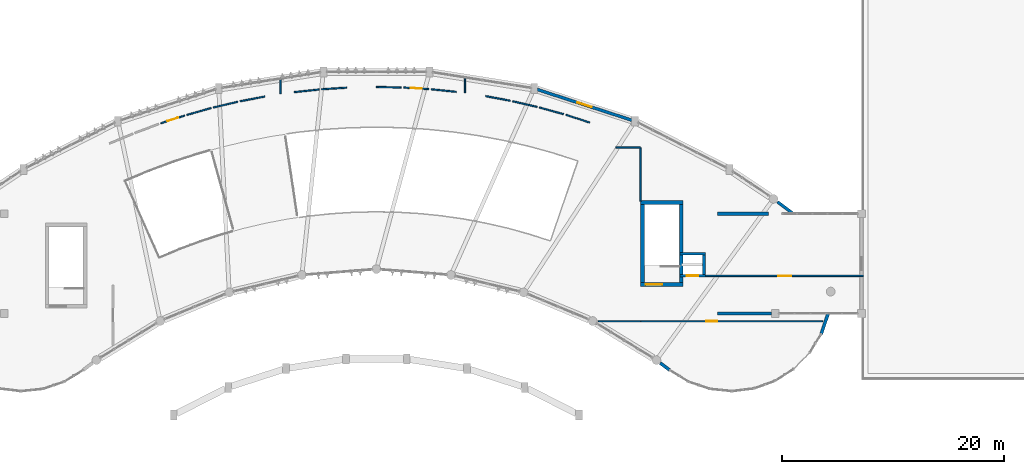
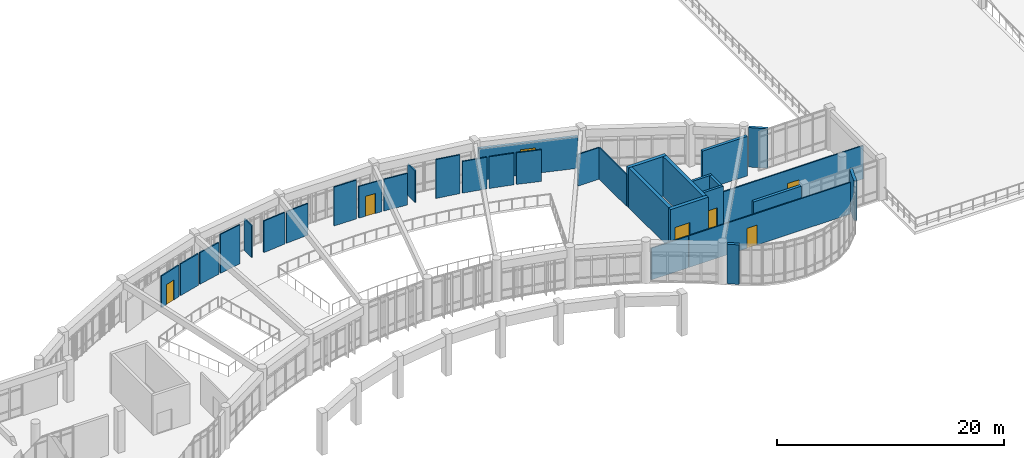
# One storey, part 44 of 54: 33 walls, 6 doors, 1 window, 7 openings.
"""IFC4 building model written with IfcOpenShell, lengths in metres."""

from ifc_helpers import new_model, si_unit, direction, frame, frame_2d, origin, place, context, subcontext, project, spatial, rectangle, extrude, material, layer, layer_set, type_object, element, fill, save


model = new_model("IFC4")

# Units and contexts
model_context = context("Model", 3, precision=1e-05, world=origin(), true_north=direction((0.0, 1.0)))
body_context = subcontext(model_context, "Body", "Model", "MODEL_VIEW")
ifc_project = project(units=[si_unit("LENGTHUNIT", "METRE"), si_unit("AREAUNIT", "SQUARE_METRE"), si_unit("VOLUMEUNIT", "CUBIC_METRE"), si_unit("PLANEANGLEUNIT", "RADIAN"), si_unit("MASSUNIT", "GRAM", prefix="KILO")], contexts=[model_context])

# Site, building, storey
site_placement = place(None, origin())
site = spatial("IfcSite", under=ifc_project, at=site_placement, CompositionType="ELEMENT")
building_placement = place(site_placement, origin())
building = spatial("IfcBuilding", under=site, at=building_placement, Name="Miralva Faculty of Natural Sciences", CompositionType="ELEMENT")
storey_placement = place(building_placement, frame((0.0, 0.0, 19.5)))
storey = spatial("IfcBuildingStorey", under=building, at=storey_placement, Name="L04", CompositionType="ELEMENT", Elevation=19.5)

# Wall, opening, door
ifc_material_1 = material(Name="Concrete C50/60", Category="concrete")
ifc_layer_1 = layer(ifc_material_1, 0.35009765625, Name="WL-CW02")
ifc_layer_set_1 = layer_set([ifc_layer_1], Name="Concrete C50/60")
wall_type_1 = type_object("IfcWallType", Name="WL-CW02", PredefinedType="SHEAR", material=ifc_layer_set_1)
wall_1_placement = place(storey_placement, frame((113.85009765625, 20.625, 0.0), z_axis=(0.0, 0.0, 1.0), x_axis=(1.0, 0.0, 0.0)))
wall_1 = element("IfcWall", 1, at=wall_1_placement, inside=storey, type_object=wall_type_1, Name="Core C3 shear wall south L04", PredefinedType="SHEAR", context=body_context, shape_type="SweptSolid", body=[
    extrude(rectangle(XDim=3.849853515625, YDim=0.35009765625, at=frame_2d((1.9248046875, 0.0))), origin(), (0.0, 0.0, 1.0), 4.280029296875),
])
opening_1_placement = place(wall_1_placement, frame((0.449951171875, 0.0, 0.0)))
opening_1 = element("IfcOpeningElement", 2, at=opening_1_placement, cuts=wall_1, Name="Opening D-11", PredefinedType="OPENING", context=body_context, shape_type="SweptSolid", body=[
    extrude(rectangle(XDim=1.5, YDim=2.199951171875, at=frame_2d((0.75, 1.10009765625))), frame((0.0, 0.18505859375, 0.0), z_axis=(0.0, -1.0, 0.0), x_axis=(1.0, 0.0, 0.0)), (0.0, 0.0, 1.0), 0.3701171875),
])
ifc_material_2 = material(Name="Galvanised steel", Category="steel")
door_type_1 = type_object("IfcDoorType", Name="DR-DI11", OperationType="DOUBLE_DOOR_SINGLE_SWING", PredefinedType="DOOR", material=ifc_material_2)
door_1_placement = place(opening_1_placement, frame((1.5, 0.0, 0.0), z_axis=(0.0, 0.0, 1.0), x_axis=(-1.0, 0.0, 0.0)))
door_1 = element("IfcDoor", 3, at=door_1_placement, inside=storey, type_object=door_type_1, Name="Protected exit stair door Core C3 L04", OperationType="DOUBLE_DOOR_SINGLE_SWING", OverallHeight=2.199951171875, OverallWidth=1.5, PredefinedType="DOOR", context=body_context, shape_type="SweptSolid", body=[
    extrude(rectangle(XDim=1.5, YDim=2.199951171875, at=frame_2d((0.75, 1.10009765625))), frame((0.0, 0.02490234375, 0.0), z_axis=(0.0, -1.0, 0.0), x_axis=(1.0, 0.0, 0.0)), (0.0, 0.0, 1.0), 0.050048828125),
])
fill(opening_1, door_1)

# Walls
wall_2_placement = place(storey_placement, frame((113.85009765625, 28.02490234375, 0.0), z_axis=(0.0, 0.0, 1.0), x_axis=(1.0, 0.0, 0.0)))
element("IfcWall", 4, at=wall_2_placement, inside=storey, type_object=wall_type_1, Name="Core C3 shear wall north L04", PredefinedType="SHEAR", context=body_context, shape_type="SweptSolid", body=[
    extrude(rectangle(XDim=3.849853515625, YDim=0.35009765625, at=frame_2d((1.9248046875, 0.0))), origin(), (0.0, 0.0, 1.0), 4.280029296875),
])
for number, where, z_axis, x_axis, name in (
    (5, (114.02490234375, 20.800048828125, 0.0), (0.0, 0.0, 1.0), (0.0, 1.0, 0.0), "Core C3 shear wall west L04"),
    (6, (117.52490234375, 20.800048828125, 0.0), (0.0, 0.0, 1.0), (0.0, 1.0, 0.0), "Core C3 shear wall east L04"),
):
    element("IfcWall", number, at=place(storey_placement, frame(where, z_axis=z_axis, x_axis=x_axis)), inside=storey, type_object=wall_type_1, Name=name, PredefinedType="SHEAR", context=body_context, shape_type="SweptSolid", body=[
        extrude(rectangle(XDim=7.050048828125, YDim=0.35009765625, at=frame_2d((3.52490234375, 0.0))), origin(), (0.0, 0.0, 1.0), 4.280029296875),
    ])

# Wall, opening, door
ifc_material_3 = material(Name="Concrete C40/50", Category="concrete")
ifc_layer_2 = layer(ifc_material_3, 0.25, Name="WL-CW04")
ifc_layer_set_2 = layer_set([ifc_layer_2], Name="Concrete C40/50")
wall_type_2 = type_object("IfcWallType", Name="WL-CW04", PredefinedType="SHEAR", material=ifc_layer_set_2)
wall_3_placement = place(storey_placement, frame((117.405029296875, 21.405029296875, 0.0), z_axis=(0.0, 0.0, 1.0), x_axis=(1.0, 0.0, 0.0)))
wall_3 = element("IfcWall", 7, at=wall_3_placement, inside=storey, type_object=wall_type_2, Name="Lift L-05 hoistway front wall L04", PredefinedType="SHEAR", context=body_context, shape_type="SweptSolid", body=[
    extrude(rectangle(XDim=2.2900390625, YDim=0.25, at=frame_2d((1.14501953125, 0.0))), origin(), (0.0, 0.0, 1.0), 4.260009765625),
])
opening_2_placement = place(wall_3_placement, frame((0.6201171875, 0.0, 0.0)))
opening_2 = element("IfcOpeningElement", 8, at=opening_2_placement, cuts=wall_3, Name="Opening LD-03", PredefinedType="OPENING", context=body_context, shape_type="SweptSolid", body=[
    extrude(rectangle(XDim=1.050048828125, YDim=2.14990234375, at=frame_2d((0.52490234375, 1.074951171875))), frame((0.0, 0.135009765625, 0.0), z_axis=(0.0, -1.0, 0.0), x_axis=(1.0, 0.0, 0.0)), (0.0, 0.0, 1.0), 0.27001953125),
])
door_type_2 = type_object("IfcDoorType", Name="DR-LD03", OperationType="SLIDING_TO_RIGHT", PredefinedType="DOOR", material=ifc_material_2)
door_2_placement = place(opening_2_placement, frame((1.050048828125, 0.0, 0.0), z_axis=(0.0, 0.0, 1.0), x_axis=(-1.0, 0.0, 0.0)))
door_2 = element("IfcDoor", 9, at=door_2_placement, inside=storey, type_object=door_type_2, Name="Lift L-05 sliding landing door L04", OperationType="SLIDING_TO_RIGHT", OverallHeight=2.14990234375, OverallWidth=1.050048828125, PredefinedType="DOOR", context=body_context, shape_type="SweptSolid", body=[
    extrude(rectangle(XDim=1.050048828125, YDim=2.14990234375, at=frame_2d((0.52490234375, 1.074951171875))), frame((0.0, 0.02490234375, 0.0), z_axis=(0.0, -1.0, 0.0), x_axis=(1.0, 0.0, 0.0)), (0.0, 0.0, 1.0), 0.050048828125),
])
fill(opening_2, door_2)

# Walls
wall_4_placement = place(storey_placement, frame((117.405029296875, 23.39501953125, 0.0), z_axis=(0.0, 0.0, 1.0), x_axis=(1.0, 0.0, 0.0)))
element("IfcWall", 10, at=wall_4_placement, inside=storey, type_object=wall_type_2, Name="Lift L-05 hoistway rear wall L04", PredefinedType="SHEAR", context=body_context, shape_type="SweptSolid", body=[
    extrude(rectangle(XDim=2.2900390625, YDim=0.25, at=frame_2d((1.14501953125, 0.0))), origin(), (0.0, 0.0, 1.0), 4.260009765625),
])
wall_5_placement = place(storey_placement, frame((119.570068359375, 21.530029296875, 0.0), z_axis=(0.0, 0.0, 1.0), x_axis=(0.0, 1.0, 0.0)))
element("IfcWall", 11, at=wall_5_placement, inside=storey, type_object=wall_type_2, Name="Lift L-05 hoistway E wall L04", PredefinedType="SHEAR", context=body_context, shape_type="SweptSolid", body=[
    extrude(rectangle(XDim=1.739990234375, YDim=0.25, at=frame_2d((0.8701171875, 0.0))), origin(), (0.0, 0.0, 1.0), 4.260009765625),
])

# Wall, opening, door
ifc_material_4 = material(Name="Gypsum plasterboard")
ifc_layer_3 = layer(ifc_material_4, 0.125, Name="WL-PT05")
ifc_layer_set_3 = layer_set([ifc_layer_3], Name="Gypsum plasterboard")
wall_type_3 = type_object("IfcWallType", Name="WL-PT05", PredefinedType="PARTITIONING", material=ifc_layer_set_3)
wall_6_placement = place(storey_placement, frame((70.52783203125, 35.169189453125, 0.0), z_axis=(0.0, 0.0, 1.0), x_axis=(0.950910506912, 0.309466004345, 0.0)))
wall_6 = element("IfcWall", 12, at=wall_6_placement, inside=storey, type_object=wall_type_3, Name="Interior partition PT-05 L04-421", PredefinedType="PARTITIONING", context=body_context, shape_type="SweptSolid", body=[
    extrude(rectangle(XDim=2.2666015625, YDim=0.125, at=frame_2d((1.13330078125, 0.0))), origin(), (0.0, 0.0, 1.0), 3.405029296875),
])
opening_3_placement = place(wall_6_placement, frame((0.63330078125, 0.0, 0.0)))
opening_3 = element("IfcOpeningElement", 13, at=opening_3_placement, cuts=wall_6, Name="Opening D-25", PredefinedType="OPENING", context=body_context, shape_type="SweptSolid", body=[
    extrude(rectangle(XDim=1.0, YDim=2.14990234375, at=frame_2d((0.5, 1.074951171875))), frame((0.0, 0.072509765625, 0.0), z_axis=(0.0, -1.0, 0.0), x_axis=(1.0, 0.0, 0.0)), (0.0, 0.0, 1.0), 0.14501953125),
])
ifc_material_5 = material(Name="Anodised aluminium", Category="aluminium")
door_type_3 = type_object("IfcDoorType", Name="DR-DI25", OperationType="NOTDEFINED", PredefinedType="DOOR", material=ifc_material_5)
door_3_placement = place(opening_3_placement, origin())
door_3 = element("IfcDoor", 14, at=door_3_placement, inside=storey, type_object=door_type_3, Name="Interior door D-25 L04-156", OperationType="SINGLE_SWING_LEFT", OverallHeight=2.14990234375, OverallWidth=1.0, PredefinedType="DOOR", context=body_context, shape_type="SweptSolid", body=[
    extrude(rectangle(XDim=1.0, YDim=2.14990234375, at=frame_2d((0.5, 1.074951171875))), frame((0.0, 0.02490234375, 0.0), z_axis=(0.0, -1.0, 0.0), x_axis=(1.0, 0.0, 0.0)), (0.0, 0.0, 1.0), 0.050048828125),
])
fill(opening_3, door_3)

# Walls
for number, where, z_axis, x_axis, name in (
    (15, (72.8857421875, 35.931884765625, 0.0), (0.0, 0.0, 1.0), (0.962961782051, 0.269637917046, 0.0), "Interior partition PT-05 L04-422"),
    (16, (75.273681640625, 36.595947265625, 0.0), (0.0, 0.0, 1.0), (0.973395972519, 0.22912939725, 0.0), "Interior partition PT-05 L04-423"),
):
    element("IfcWall", number, at=place(storey_placement, frame(where, z_axis=z_axis, x_axis=x_axis)), inside=storey, type_object=wall_type_3, Name=name, PredefinedType="PARTITIONING", context=body_context, shape_type="SweptSolid", body=[
        extrude(rectangle(XDim=2.266357421875, YDim=0.125, at=frame_2d((1.13330078125, 0.0))), origin(), (0.0, 0.0, 1.0), 3.405029296875),
    ])
wall_7_placement = place(storey_placement, frame((77.6875, 37.15966796875, 0.0), z_axis=(0.0, 0.0, 1.0), x_axis=(0.982087808033, 0.188423823634, 0.0)))
element("IfcWall", 17, at=wall_7_placement, inside=storey, type_object=wall_type_3, Name="Interior partition PT-05 L04-424", PredefinedType="PARTITIONING", context=body_context, shape_type="SweptSolid", body=[
    extrude(rectangle(XDim=2.26611328125, YDim=0.125, at=frame_2d((1.133056640625, 0.0))), origin(), (0.0, 0.0, 1.0), 4.179931640625),
])
wall_8_placement = place(storey_placement, frame((82.57421875, 37.983154296875, 0.0), z_axis=(0.0, 0.0, 1.0), x_axis=(0.994366469197, 0.105996815696, 0.0)))
element("IfcWall", 18, at=wall_8_placement, inside=storey, type_object=wall_type_3, Name="Interior partition PT-05 L04-425", PredefinedType="PARTITIONING", context=body_context, shape_type="SweptSolid", body=[
    extrude(rectangle(XDim=2.266357421875, YDim=0.125, at=frame_2d((1.13330078125, 0.0))), origin(), (0.0, 0.0, 1.0), 3.405029296875),
])
wall_9_placement = place(storey_placement, frame((85.039306640625, 38.2412109375, 0.0), z_axis=(0.0, 0.0, 1.0), x_axis=(0.997915696942, 0.064531091706, 0.0)))
element("IfcWall", 19, at=wall_9_placement, inside=storey, type_object=wall_type_3, Name="Interior partition PT-05 L04-426", PredefinedType="PARTITIONING", context=body_context, shape_type="SweptSolid", body=[
    extrude(rectangle(XDim=2.26611328125, YDim=0.125, at=frame_2d((1.133056640625, 0.0))), origin(), (0.0, 0.0, 1.0), 3.405029296875),
])
wall_10_placement = place(storey_placement, frame((89.99072265625, 38.448486328125, 0.0), z_axis=(0.0, 0.0, 1.0), x_axis=(0.999822278173, -0.018852375679, 0.0)))
element("IfcWall", 20, at=wall_10_placement, inside=storey, type_object=wall_type_3, Name="Interior partition PT-05 L04-427", PredefinedType="PARTITIONING", context=body_context, shape_type="SweptSolid", body=[
    extrude(rectangle(XDim=2.266357421875, YDim=0.125, at=frame_2d((1.13330078125, 0.0))), origin(), (0.0, 0.0, 1.0), 4.179931640625),
])

# Wall, opening, door
wall_11_placement = place(storey_placement, frame((92.46875, 38.3974609375, 0.0), z_axis=(0.0, 0.0, 1.0), x_axis=(0.998159220571, -0.060647921561, 0.0)))
wall_11 = element("IfcWall", 21, at=wall_11_placement, inside=storey, type_object=wall_type_3, Name="Interior partition PT-05 L04-428", PredefinedType="PARTITIONING", context=body_context, shape_type="SweptSolid", body=[
    extrude(rectangle(XDim=2.266357421875, YDim=0.125, at=frame_2d((1.13330078125, 0.0))), origin(), (0.0, 0.0, 1.0), 3.405029296875),
])
opening_4_placement = place(wall_11_placement, frame((0.63330078125, 0.0, 0.0)))
opening_4 = element("IfcOpeningElement", 22, at=opening_4_placement, cuts=wall_11, Name="Opening D-25", PredefinedType="OPENING", context=body_context, shape_type="SweptSolid", body=[
    extrude(rectangle(XDim=1.0, YDim=2.14990234375, at=frame_2d((0.5, 1.074951171875))), frame((0.0, 0.072509765625, 0.0), z_axis=(0.0, -1.0, 0.0), x_axis=(1.0, 0.0, 0.0)), (0.0, 0.0, 1.0), 0.14501953125),
])
door_4_placement = place(opening_4_placement, origin())
door_4 = element("IfcDoor", 23, at=door_4_placement, inside=storey, type_object=door_type_3, Name="Interior door D-25 L04-158", OperationType="SINGLE_SWING_LEFT", OverallHeight=2.14990234375, OverallWidth=1.0, PredefinedType="DOOR", context=body_context, shape_type="SweptSolid", body=[
    extrude(rectangle(XDim=1.0, YDim=2.14990234375, at=frame_2d((0.5, 1.074951171875))), frame((0.0, 0.02490234375, 0.0), z_axis=(0.0, -1.0, 0.0), x_axis=(1.0, 0.0, 0.0)), (0.0, 0.0, 1.0), 0.050048828125),
])
fill(opening_4, door_4)

# Walls
wall_12_placement = place(storey_placement, frame((94.942138671875, 38.242919921875, 0.0), z_axis=(0.0, 0.0, 1.0), x_axis=(0.994772464136, -0.102116328749, 0.0)))
element("IfcWall", 24, at=wall_12_placement, inside=storey, type_object=wall_type_3, Name="Interior partition PT-05 L04-429", PredefinedType="PARTITIONING", context=body_context, shape_type="SweptSolid", body=[
    extrude(rectangle(XDim=2.2666015625, YDim=0.125, at=frame_2d((1.13330078125, 0.0))), origin(), (0.0, 0.0, 1.0), 3.405029296875),
])
wall_13_placement = place(storey_placement, frame((99.859619140625, 37.62548828125, 0.0), z_axis=(0.0, 0.0, 1.0), x_axis=(0.982805045735, -0.184646262018, 0.0)))
element("IfcWall", 25, at=wall_13_placement, inside=storey, type_object=wall_type_3, Name="Interior partition PT-05 L04-430", PredefinedType="PARTITIONING", context=body_context, shape_type="SweptSolid", body=[
    extrude(rectangle(XDim=2.266357421875, YDim=0.125, at=frame_2d((1.13330078125, 0.0))), origin(), (0.0, 0.0, 1.0), 4.179931640625),
])
wall_14_placement = place(storey_placement, frame((102.294921875, 37.163330078125, 0.0), z_axis=(0.0, 0.0, 1.0), x_axis=(0.974269394544, -0.225386660775, 0.0)))
element("IfcWall", 26, at=wall_14_placement, inside=storey, type_object=wall_type_3, Name="Interior partition PT-05 L04-431", PredefinedType="PARTITIONING", context=body_context, shape_type="SweptSolid", body=[
    extrude(rectangle(XDim=2.26611328125, YDim=0.125, at=frame_2d((1.133056640625, 0.0))), origin(), (0.0, 0.0, 1.0), 3.405029296875),
])
for number, where, z_axis, x_axis, name in (
    (27, (104.708251953125, 36.600341796875, 0.0), (0.0, 0.0, 1.0), (0.96403926476, -0.265759846481, 0.0), "Interior partition PT-05 L04-432"),
    (28, (107.0966796875, 35.937255859375, 0.0), (0.0, 0.0, 1.0), (0.952084587877, -0.305834820659, 0.0), "Interior partition PT-05 L04-433"),
):
    element("IfcWall", number, at=place(storey_placement, frame(where, z_axis=z_axis, x_axis=x_axis)), inside=storey, type_object=wall_type_3, Name=name, PredefinedType="PARTITIONING", context=body_context, shape_type="SweptSolid", body=[
        extrude(rectangle(XDim=2.266357421875, YDim=0.125, at=frame_2d((1.13330078125, 0.0))), origin(), (0.0, 0.0, 1.0), 3.405029296875),
    ])
wall_15_placement = place(storey_placement, frame((111.626708984375, 33.0, 0.0), z_axis=(0.0, 0.0, 1.0), x_axis=(1.0, 0.0, 0.0)))
element("IfcWall", 29, at=wall_15_placement, inside=storey, type_object=wall_type_3, Name="Interior partition PT-05 L04-434", PredefinedType="PARTITIONING", context=body_context, shape_type="SweptSolid", body=[
    extrude(rectangle(XDim=2.193359375, YDim=0.125, at=frame_2d((1.0966796875, 0.0))), origin(), (0.0, 0.0, 1.0), 3.405029296875),
])
wall_16_placement = place(storey_placement, frame((113.85009765625, 28.151611328125, 0.0), z_axis=(0.0, 0.0, 1.0), x_axis=(0.0, 1.0, 0.0)))
element("IfcWall", 30, at=wall_16_placement, inside=storey, type_object=wall_type_3, Name="Interior partition PT-05 L04-435", PredefinedType="PARTITIONING", context=body_context, shape_type="SweptSolid", body=[
    extrude(rectangle(XDim=4.818359375, YDim=0.125, at=frame_2d((2.4091796875, 0.0))), origin(), (0.0, 0.0, 1.0), 3.405029296875),
])

# Wall, opening, door
wall_17_placement = place(storey_placement, frame((119.72998046875, 21.39990234375, 0.0), z_axis=(0.0, 0.0, 1.0), x_axis=(1.0, 0.0, 0.0)))
wall_17 = element("IfcWall", 31, at=wall_17_placement, inside=storey, type_object=wall_type_3, Name="Interior partition PT-05 L04-436", PredefinedType="PARTITIONING", context=body_context, shape_type="SweptSolid", body=[
    extrude(rectangle(XDim=14.239990234375, YDim=0.125, at=frame_2d((7.1201171875, 0.0))), origin(), (0.0, 0.0, 1.0), 3.594970703125),
])
opening_5_placement = place(wall_17_placement, frame((6.530029296875, 0.0, 0.0)))
opening_5 = element("IfcOpeningElement", 32, at=opening_5_placement, cuts=wall_17, Name="Opening D-34", PredefinedType="OPENING", context=body_context, shape_type="SweptSolid", body=[
    extrude(rectangle(XDim=1.179931640625, YDim=2.199951171875, at=frame_2d((0.58984375, 1.10009765625))), frame((0.0, 0.072509765625, 0.0), z_axis=(0.0, -1.0, 0.0), x_axis=(1.0, 0.0, 0.0)), (0.0, 0.0, 1.0), 0.14501953125),
])
door_type_4 = type_object("IfcDoorType", Name="DR-DI34", OperationType="NOTDEFINED", PredefinedType="DOOR", material=ifc_material_5)
door_5_placement = place(opening_5_placement, origin())
door_5 = element("IfcDoor", 33, at=door_5_placement, inside=storey, type_object=door_type_4, Name="Interior door D-34 L04-159", OperationType="SINGLE_SWING_RIGHT", OverallHeight=2.199951171875, OverallWidth=1.179931640625, PredefinedType="DOOR", context=body_context, shape_type="SweptSolid", body=[
    extrude(rectangle(XDim=1.179931640625, YDim=2.199951171875, at=frame_2d((0.58984375, 1.10009765625))), frame((0.0, 0.02490234375, 0.0), z_axis=(0.0, -1.0, 0.0), x_axis=(1.0, 0.0, 0.0)), (0.0, 0.0, 1.0), 0.050048828125),
])
fill(opening_5, door_5)

wall_18_placement = place(storey_placement, frame((113.8798828125, 17.300048828125, 0.0), z_axis=(0.0, 0.0, 1.0), x_axis=(1.0, 0.0, 0.0)))
wall_18 = element("IfcWall", 34, at=wall_18_placement, inside=storey, type_object=wall_type_3, Name="Interior partition PT-05 L04-437", PredefinedType="PARTITIONING", context=body_context, shape_type="SweptSolid", body=[
    extrude(rectangle(XDim=16.408203125, YDim=0.125, at=frame_2d((8.2041015625, 0.0))), origin(), (0.0, 0.0, 1.0), 3.405029296875),
])
opening_6_placement = place(wall_18_placement, frame((5.904052734375, 0.0, 0.0)))
opening_6 = element("IfcOpeningElement", 35, at=opening_6_placement, cuts=wall_18, Name="Opening D-25", PredefinedType="OPENING", context=body_context, shape_type="SweptSolid", body=[
    extrude(rectangle(XDim=1.0, YDim=2.14990234375, at=frame_2d((0.5, 1.074951171875))), frame((0.0, 0.072509765625, 0.0), z_axis=(0.0, -1.0, 0.0), x_axis=(1.0, 0.0, 0.0)), (0.0, 0.0, 1.0), 0.14501953125),
])
door_6_placement = place(opening_6_placement, origin())
door_6 = element("IfcDoor", 36, at=door_6_placement, inside=storey, type_object=door_type_3, Name="Interior door D-25 L04-160", OperationType="SINGLE_SWING_LEFT", OverallHeight=2.14990234375, OverallWidth=1.0, PredefinedType="DOOR", context=body_context, shape_type="SweptSolid", body=[
    extrude(rectangle(XDim=1.0, YDim=2.14990234375, at=frame_2d((0.5, 1.074951171875))), frame((0.0, 0.02490234375, 0.0), z_axis=(0.0, -1.0, 0.0), x_axis=(1.0, 0.0, 0.0)), (0.0, 0.0, 1.0), 0.050048828125),
])
fill(opening_6, door_6)

# Walls
wall_19_placement = place(storey_placement, frame((110.041015625, 17.300048828125, 0.0), z_axis=(0.0, 0.0, 1.0), x_axis=(1.0, 0.0, 0.0)))
element("IfcWall", 37, at=wall_19_placement, inside=storey, type_object=wall_type_3, Name="Interior partition PT-05 L04-438", PredefinedType="PARTITIONING", context=body_context, shape_type="SweptSolid", body=[
    extrude(rectangle(XDim=3.779052734375, YDim=0.125, at=frame_2d((1.8896484375, 0.0))), origin(), (0.0, 0.0, 1.0), 3.405029296875),
])
wall_20_placement = place(storey_placement, frame((81.320068359375, 37.830810546875, 0.0), z_axis=(0.0, 0.0, 1.0), x_axis=(0.0, 1.0, 0.0)))
element("IfcWall", 38, at=wall_20_placement, inside=storey, type_object=wall_type_3, Name="Interior partition PT-05 L04-440", PredefinedType="PARTITIONING", context=body_context, shape_type="SweptSolid", body=[
    extrude(rectangle(XDim=1.285888671875, YDim=0.125, at=frame_2d((0.64306640625, 0.0))), origin(), (0.0, 0.0, 1.0), 3.405029296875),
])
wall_21_placement = place(storey_placement, frame((98.0, 37.929443359375, 0.0), z_axis=(0.0, 0.0, 1.0), x_axis=(0.0, 1.0, 0.0)))
element("IfcWall", 39, at=wall_21_placement, inside=storey, type_object=wall_type_3, Name="Interior partition PT-05 L04-441", PredefinedType="PARTITIONING", context=body_context, shape_type="SweptSolid", body=[
    extrude(rectangle(XDim=1.28076171875, YDim=0.125, at=frame_2d((0.640380859375, 0.0))), origin(), (0.0, 0.0, 1.0), 3.405029296875),
])
ifc_material_6 = material(Name="Precast concrete C40/50", Category="concrete")
ifc_layer_4 = layer(ifc_material_6, 0.2900390625, Name="WL-WT03")
ifc_layer_set_4 = layer_set([ifc_layer_4], Name="Precast concrete C40/50")
wall_type_4 = type_object("IfcWallType", Name="WL-WT03", PredefinedType="SOLIDWALL", material=ifc_layer_set_4)
wall_22_placement = place(storey_placement, frame((115.6142578125, 13.531982421875, 0.0), z_axis=(0.0, 0.0, 1.0), x_axis=(0.798608971494, -0.601850239387, 0.0)))
element("IfcWall", 40, at=wall_22_placement, inside=storey, type_object=wall_type_4, Name="Exterior wall L04-47", PredefinedType="SOLIDWALL", context=body_context, shape_type="SweptSolid", body=[
    extrude(rectangle(XDim=1.07568359375, YDim=0.2900390625, at=frame_2d((0.537841796875, 0.0))), origin(), (0.0, 0.0, 1.0), 4.25),
])
wall_23_placement = place(storey_placement, frame((130.16162109375, 16.152587890625, 0.0), z_axis=(0.0, 0.0, 1.0), x_axis=(0.320875386213, 0.947121421214, 0.0)))
element("IfcWall", 41, at=wall_23_placement, inside=storey, type_object=wall_type_4, Name="Exterior wall L04-52", PredefinedType="SOLIDWALL", context=body_context, shape_type="SweptSolid", body=[
    extrude(rectangle(XDim=2.015625, YDim=0.2900390625, at=frame_2d((1.0078125, 0.0))), origin(), (0.0, 0.0, 1.0), 4.25),
])
wall_24_placement = place(storey_placement, frame((120.800048828125, 18.0, 0.0), z_axis=(0.0, 0.0, 1.0), x_axis=(1.0, 0.0, 0.0)))
element("IfcWall", 42, at=wall_24_placement, inside=storey, type_object=wall_type_4, Name="Exterior wall L04-368", PredefinedType="SOLIDWALL", context=body_context, shape_type="SweptSolid", body=[
    extrude(rectangle(XDim=4.864990234375, YDim=0.2900390625, at=frame_2d((2.4326171875, 0.0))), origin(), (0.0, 0.0, 1.0), 4.25),
])
wall_25_placement = place(storey_placement, frame((120.800048828125, 27.0, 0.0), z_axis=(0.0, 0.0, 1.0), x_axis=(1.0, 0.0, 0.0)))
element("IfcWall", 43, at=wall_25_placement, inside=storey, type_object=wall_type_4, Name="Exterior wall L04-370", PredefinedType="SOLIDWALL", context=body_context, shape_type="SweptSolid", body=[
    extrude(rectangle(XDim=4.579833984375, YDim=0.2900390625, at=frame_2d((2.2900390625, 0.0))), origin(), (0.0, 0.0, 1.0), 4.25),
])

# Wall, opening, window
ifc_material_7 = material(Name="Volcanic tuff architectural stone", Category="masonry")
ifc_layer_5 = layer(ifc_material_7, 0.27001953125, Name="WL-WT04")
ifc_layer_set_5 = layer_set([ifc_layer_5], Name="Volcanic tuff architectural stone")
wall_type_5 = type_object("IfcWallType", Name="WL-WT04", PredefinedType="SOLIDWALL", material=ifc_layer_set_5)
wall_26_placement = place(storey_placement, frame((104.520751953125, 38.223388671875, 0.0), z_axis=(0.0, 0.0, 1.0), x_axis=(0.951056038367, -0.309018465281, 0.0)))
wall_26 = element("IfcWall", 44, at=wall_26_placement, inside=storey, type_object=wall_type_5, Name="Exterior wall L04-49", PredefinedType="SOLIDWALL", context=body_context, shape_type="SweptSolid", body=[
    extrude(rectangle(XDim=8.982177734375, YDim=0.27001953125, at=frame_2d((4.4912109375, 0.0))), origin(), (0.0, 0.0, 1.0), 3.405029296875),
])
opening_7_placement = place(wall_26_placement, frame((3.816162109375, 0.0, 0.89990234375)))
opening_7 = element("IfcOpeningElement", 45, at=opening_7_placement, cuts=wall_26, Name="Opening W-05", PredefinedType="OPENING", context=body_context, shape_type="SweptSolid", body=[
    extrude(rectangle(XDim=1.35009765625, YDim=1.85009765625, at=frame_2d((0.675048828125, 0.925048828125))), frame((0.0, 0.14501953125, 0.0), z_axis=(0.0, -1.0, 0.0), x_axis=(1.0, 0.0, 0.0)), (0.0, 0.0, 1.0), 0.2900390625),
])
ifc_material_8 = material(Name="Laminated solar-control glass", Category="glass")
window_type = type_object("IfcWindowType", Name="WN-W05", PartitioningType="DOUBLE_PANEL_VERTICAL", PredefinedType="WINDOW", material=ifc_material_8)
window_placement = place(opening_7_placement, origin())
window = element("IfcWindow", 46, at=window_placement, inside=storey, type_object=window_type, Name="Window W-05 L04-5", OverallHeight=1.85009765625, OverallWidth=1.35009765625, PartitioningType="DOUBLE_PANEL_VERTICAL", PredefinedType="WINDOW", context=body_context, shape_type="SweptSolid", body=[
    extrude(rectangle(XDim=1.35009765625, YDim=1.85009765625, at=frame_2d((0.675048828125, 0.925048828125))), frame((0.0, 0.030029296875, 0.0), z_axis=(0.0, -1.0, 0.0), x_axis=(1.0, 0.0, 0.0)), (0.0, 0.0, 1.0), 0.06005859375),
])
fill(opening_7, window)

# Wall
wall_27_placement = place(storey_placement, frame((126.210205078125, 28.082275390625, 0.0), z_axis=(0.0, 0.0, 1.0), x_axis=(0.798641279354, -0.601807366947, 0.0)))
element("IfcWall", 47, at=wall_27_placement, inside=storey, type_object=wall_type_5, Name="Exterior wall L04-50", PredefinedType="SOLIDWALL", context=body_context, shape_type="SweptSolid", body=[
    extrude(rectangle(XDim=1.684326171875, YDim=0.27001953125, at=frame_2d((0.84228515625, 0.0))), origin(), (0.0, 0.0, 1.0), 4.25),
])

save(model, "model.ifc")
